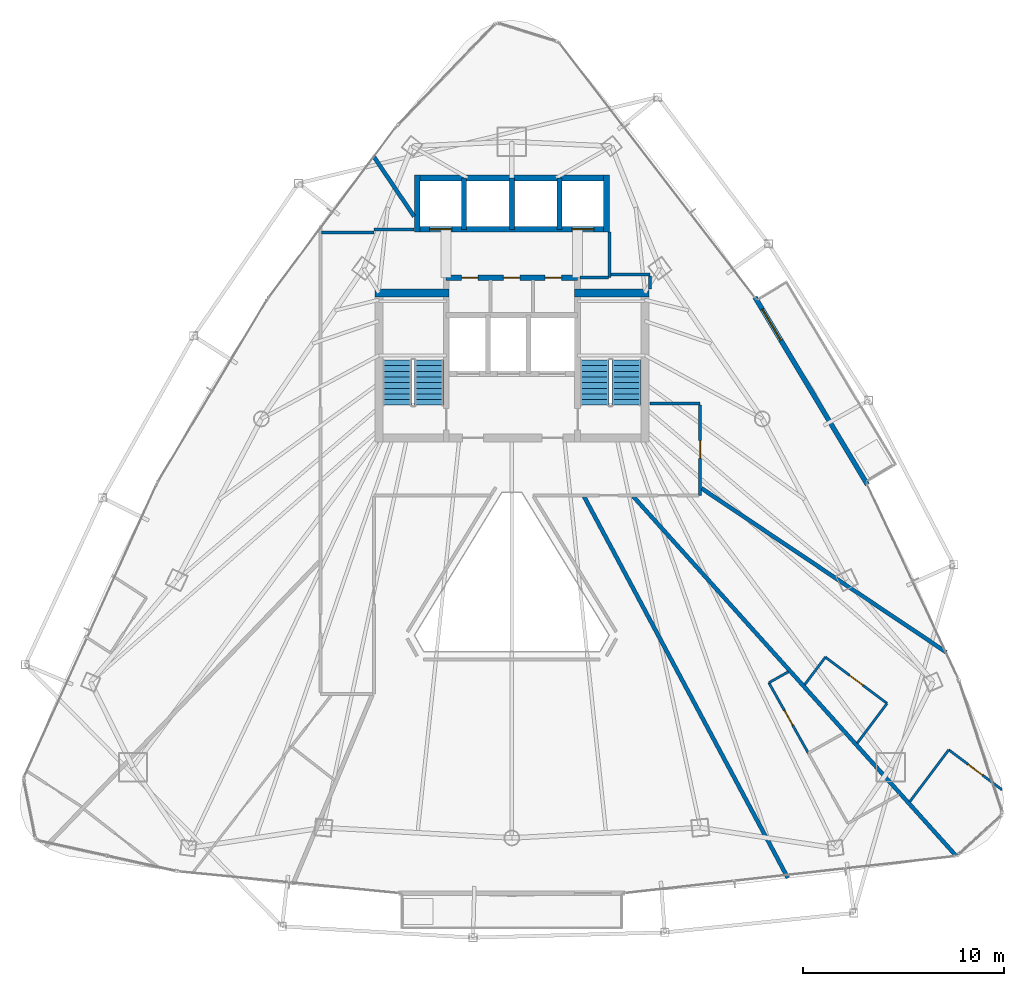
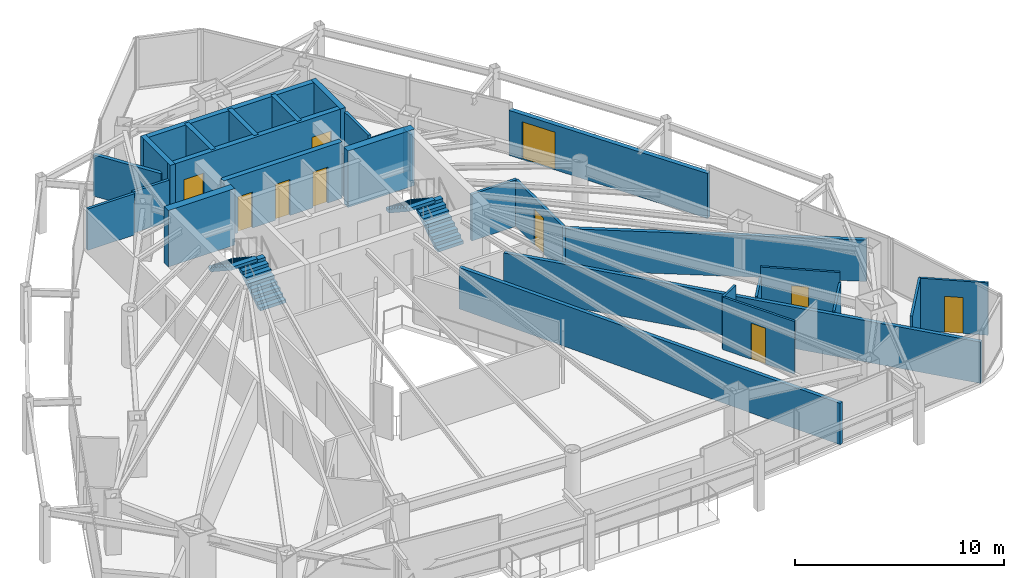
# One storey, part 27 of 30: 30 walls, 10 doors, 4 stair flights, 10 openings, 2 elements without a shape of their own.
"""IFC4 building model written with IfcOpenShell, lengths in metres."""

from ifc_helpers import new_model, si_unit, direction, frame, frame_2d, origin, place, context, subcontext, project, spatial, polyline, rectangle, outline, extrude, material, layer, layer_set, type_object, element, fill, aggregate, save


model = new_model("IFC4")

# Units and contexts
model_context = context("Model", 3, precision=1e-05, world=origin(), true_north=direction((0.0, 1.0)))
body_context = subcontext(model_context, "Body", "Model", "MODEL_VIEW")
ifc_project = project(units=[si_unit("LENGTHUNIT", "METRE"), si_unit("AREAUNIT", "SQUARE_METRE"), si_unit("VOLUMEUNIT", "CUBIC_METRE"), si_unit("PLANEANGLEUNIT", "RADIAN"), si_unit("MASSUNIT", "GRAM", prefix="KILO")], contexts=[model_context])

# Site, building, storey
site_placement = place(None, origin())
site = spatial("IfcSite", under=ifc_project, at=site_placement, CompositionType="ELEMENT")
building_placement = place(site_placement, origin())
building = spatial("IfcBuilding", under=site, at=building_placement, Name="Orvanel Arch Residences", CompositionType="ELEMENT")
storey_placement = place(building_placement, frame((0.0, 0.0, 180.35009765625)))
storey = spatial("IfcBuildingStorey", under=building, at=storey_placement, Name="L51", CompositionType="ELEMENT", Elevation=180.35009765625)

# Wall, opening, door
ifc_material_1 = material(Name="Precast concrete N50 (50 MPa)", Category="concrete")
ifc_layer_1 = layer(ifc_material_1, 0.239990234375)
ifc_layer_set_1 = layer_set([ifc_layer_1], Name="Precast concrete N50 (50 MPa)")
wall_type_1 = type_object("IfcWallType", Name="EW-BAL-240", PredefinedType="SOLIDWALL", material=ifc_layer_set_1)
wall_1_placement = place(storey_placement, frame((50.652099609375, 24.373046875, 0.0), z_axis=(0.0, 0.0, 1.0), x_axis=(-0.514290689074, 0.857615932182, 0.0)))
wall_1 = element("IfcWall", 1, at=wall_1_placement, inside=storey, type_object=wall_type_1, Name="L51 Balcony Threshold Wall Face 3", PredefinedType="SOLIDWALL", context=body_context, shape_type="SweptSolid", body=[
    extrude(rectangle(XDim=10.855712890625, YDim=0.239990234375, at=frame_2d((5.427734375, 0.0))), origin(), (0.0, 0.0, 1.0), 2.6240234375),
])
opening_1_placement = place(wall_1_placement, frame((8.35791015625, 0.0, 0.0)))
opening_1 = element("IfcOpeningElement", 2, at=opening_1_placement, cuts=wall_1, Name="Opening DB-180", PredefinedType="OPENING", context=body_context, shape_type="SweptSolid", body=[
    extrude(rectangle(XDim=1.800048828125, YDim=2.199951171875, at=frame_2d((0.89990234375, 1.10009765625))), frame((0.0, 0.1298828125, 0.0), z_axis=(0.0, -1.0, 0.0), x_axis=(1.0, 0.0, 0.0)), (0.0, 0.0, 1.0), 0.260009765625),
])
ifc_material_2 = material(Name="Bronze-anodised aluminium AA6063-T6", Category="aluminium")
door_type_1 = type_object("IfcDoorType", Name="DR-BAL-1800", OperationType="NOTDEFINED", PredefinedType="DOOR", material=ifc_material_2)
door_1_placement = place(opening_1_placement, origin())
door_1 = element("IfcDoor", 3, at=door_1_placement, inside=storey, type_object=door_type_1, Name="DR-L51-BAL-F3 L51 Planted Balcony Access Door Face 3", OperationType="SINGLE_SWING_RIGHT", OverallHeight=2.199951171875, OverallWidth=1.800048828125, PredefinedType="DOOR", context=body_context, shape_type="SweptSolid", body=[
    extrude(rectangle(XDim=1.800048828125, YDim=2.199951171875, at=frame_2d((0.89990234375, 1.10009765625))), frame((0.0, 0.02490234375, 0.0), z_axis=(0.0, -1.0, 0.0), x_axis=(1.0, 0.0, 0.0)), (0.0, 0.0, 1.0), 0.050048828125),
])
fill(opening_1, door_1)

# Walls
ifc_material_3 = material(Name="Concrete N50 (50 MPa)", Category="concrete")
ifc_layer_2 = layer(ifc_material_3, 0.25)
ifc_layer_set_2 = layer_set([ifc_layer_2], Name="Concrete N50 (50 MPa)")
wall_type_2 = type_object("IfcWallType", Name="SW-CORE-250", PredefinedType="SHEAR", material=ifc_layer_set_2)
for number, where, z_axis, x_axis, name in (
    (4, (30.625, 37.050048828125, 0.0), (0.0, 0.0, 1.0), (0.0, 1.0, 0.0), "L51 Passenger Lift Inter-Shaft Wall P35"),
    (5, (33.0, 37.050048828125, 0.0), (0.0, 0.0, 1.0), (0.0, 1.0, 0.0), "L51 Passenger Lift Inter-Shaft Wall P56"),
    (6, (35.375, 37.050048828125, 0.0), (0.0, 0.0, 1.0), (0.0, 1.0, 0.0), "L51 Passenger Lift Inter-Shaft Wall P64"),
):
    element("IfcWall", number, at=place(storey_placement, frame(where, z_axis=z_axis, x_axis=x_axis)), inside=storey, type_object=wall_type_2, Name=name, PredefinedType="SHEAR", context=body_context, shape_type="SweptSolid", body=[
        extrude(rectangle(XDim=2.550048828125, YDim=0.25, at=frame_2d((1.27490234375, 0.0))), origin(), (0.0, 0.0, 1.0), 3.2998046875),
    ])

# Wall, openings, doors
ifc_material_4 = material(Name="Concrete S65 (65 MPa)", Category="concrete")
ifc_layer_3 = layer(ifc_material_4, 0.280029296875)
ifc_layer_set_3 = layer_set([ifc_layer_3], Name="Concrete S65 (65 MPa)")
wall_type_3 = type_object("IfcWallType", Name="SW-CORE-280", PredefinedType="SHEAR", material=ifc_layer_set_3)
wall_2_placement = place(storey_placement, frame((29.739990234375, 34.64990234375, 0.0), z_axis=(0.0, 0.0, 1.0), x_axis=(1.0, 0.0, 0.0)))
wall_2 = element("IfcWall", 7, at=wall_2_placement, inside=storey, type_object=wall_type_3, Name="L51 Core Service Band North Shear Wall", PredefinedType="SHEAR", context=body_context, shape_type="SweptSolid", body=[
    extrude(rectangle(XDim=6.52001953125, YDim=0.280029296875, at=frame_2d((3.260009765625, 0.0))), origin(), (0.0, 0.0, 1.0), 3.2998046875),
])
opening_2_placement = place(wall_2_placement, frame((0.764892578125, 0.0, 0.0)))
opening_2 = element("IfcOpeningElement", 8, at=opening_2_placement, cuts=wall_2, Name="Opening DS-082", PredefinedType="OPENING", context=body_context, shape_type="SweptSolid", body=[
    extrude(rectangle(XDim=0.820068359375, YDim=2.10009765625, at=frame_2d((0.41015625, 1.050048828125))), frame((0.0, 0.14990234375, 0.0), z_axis=(0.0, -1.0, 0.0), x_axis=(1.0, 0.0, 0.0)), (0.0, 0.0, 1.0), 0.300048828125),
])
opening_3_placement = place(wall_2_placement, frame((2.840087890625, 0.0, 0.0)))
opening_3 = element("IfcOpeningElement", 9, at=opening_3_placement, cuts=wall_2, Name="Opening DS-082", PredefinedType="OPENING", context=body_context, shape_type="SweptSolid", body=[
    extrude(rectangle(XDim=0.820068359375, YDim=2.10009765625, at=frame_2d((0.41015625, 1.050048828125))), frame((0.0, 0.14990234375, 0.0), z_axis=(0.0, -1.0, 0.0), x_axis=(1.0, 0.0, 0.0)), (0.0, 0.0, 1.0), 0.300048828125),
])
opening_4_placement = place(wall_2_placement, frame((4.9150390625, 0.0, 0.0)))
opening_4 = element("IfcOpeningElement", 10, at=opening_4_placement, cuts=wall_2, Name="Opening DS-082", PredefinedType="OPENING", context=body_context, shape_type="SweptSolid", body=[
    extrude(rectangle(XDim=0.820068359375, YDim=2.10009765625, at=frame_2d((0.41015625, 1.050048828125))), frame((0.0, 0.14990234375, 0.0), z_axis=(0.0, -1.0, 0.0), x_axis=(1.0, 0.0, 0.0)), (0.0, 0.0, 1.0), 0.300048828125),
])
ifc_material_5 = material(Name="Galvanised steel fire-resisting door assembly", Category="steel")
door_type_2 = type_object("IfcDoorType", Name="DR-SVC-820", OperationType="NOTDEFINED", PredefinedType="DOOR", material=ifc_material_5)
door_2_placement = place(opening_2_placement, origin())
door_2 = element("IfcDoor", 11, at=door_2_placement, inside=storey, type_object=door_type_2, Name="DR-L51-CSVC-1 L51 Housekeeping Store Door", OperationType="SINGLE_SWING_LEFT", OverallHeight=2.10009765625, OverallWidth=0.820068359375, PredefinedType="DOOR", context=body_context, shape_type="SweptSolid", body=[
    extrude(rectangle(XDim=0.820068359375, YDim=2.10009765625, at=frame_2d((0.41015625, 1.050048828125))), frame((0.0, 0.02490234375, 0.0), z_axis=(0.0, -1.0, 0.0), x_axis=(1.0, 0.0, 0.0)), (0.0, 0.0, 1.0), 0.050048828125),
])
fill(opening_2, door_2)
door_3_placement = place(opening_3_placement, origin())
door_3 = element("IfcDoor", 12, at=door_3_placement, inside=storey, type_object=door_type_2, Name="DR-L51-CSVC-2 L51 Cleaner's Store Door", OperationType="SINGLE_SWING_LEFT", OverallHeight=2.10009765625, OverallWidth=0.820068359375, PredefinedType="DOOR", context=body_context, shape_type="SweptSolid", body=[
    extrude(rectangle(XDim=0.820068359375, YDim=2.10009765625, at=frame_2d((0.41015625, 1.050048828125))), frame((0.0, 0.02490234375, 0.0), z_axis=(0.0, -1.0, 0.0), x_axis=(1.0, 0.0, 0.0)), (0.0, 0.0, 1.0), 0.050048828125),
])
fill(opening_3, door_3)
door_4_placement = place(opening_4_placement, origin())
door_4 = element("IfcDoor", 13, at=door_4_placement, inside=storey, type_object=door_type_2, Name="DR-L51-CSVC-3 L51 Comms Riser Store Door", OperationType="SINGLE_SWING_LEFT", OverallHeight=2.10009765625, OverallWidth=0.820068359375, PredefinedType="DOOR", context=body_context, shape_type="SweptSolid", body=[
    extrude(rectangle(XDim=0.820068359375, YDim=2.10009765625, at=frame_2d((0.41015625, 1.050048828125))), frame((0.0, 0.02490234375, 0.0), z_axis=(0.0, -1.0, 0.0), x_axis=(1.0, 0.0, 0.0)), (0.0, 0.0, 1.0), 0.050048828125),
])
fill(opening_4, door_4)

wall_3_placement = place(storey_placement, frame((37.840087890625, 37.050048828125, 0.0), z_axis=(0.0, 0.0, 1.0), x_axis=(-1.0, 0.0, 0.0)))
wall_3 = element("IfcWall", 14, at=wall_3_placement, inside=storey, type_object=wall_type_3, Name="L51 Passenger Lift Bank Front Shear Wall", PredefinedType="SHEAR", context=body_context, shape_type="SweptSolid", body=[
    extrude(rectangle(XDim=9.68017578125, YDim=0.280029296875, at=frame_2d((4.840087890625, 0.0))), origin(), (0.0, 0.0, 1.0), 3.2998046875),
])
opening_5_placement = place(wall_3_placement, frame((7.81494140625, 0.0, 0.0)))
opening_5 = element("IfcOpeningElement", 15, at=opening_5_placement, cuts=wall_3, Name="Opening LD-110", PredefinedType="OPENING", context=body_context, shape_type="SweptSolid", body=[
    extrude(rectangle(XDim=1.10009765625, YDim=2.199951171875, at=frame_2d((0.550048828125, 1.10009765625))), frame((0.0, 0.14990234375, 0.0), z_axis=(0.0, -1.0, 0.0), x_axis=(1.0, 0.0, 0.0)), (0.0, 0.0, 1.0), 0.300048828125),
])
opening_6_placement = place(wall_3_placement, frame((0.764892578125, 0.0, 0.0)))
opening_6 = element("IfcOpeningElement", 16, at=opening_6_placement, cuts=wall_3, Name="Opening LD-110", PredefinedType="OPENING", context=body_context, shape_type="SweptSolid", body=[
    extrude(rectangle(XDim=1.10009765625, YDim=2.199951171875, at=frame_2d((0.550048828125, 1.10009765625))), frame((0.0, 0.14990234375, 0.0), z_axis=(0.0, -1.0, 0.0), x_axis=(1.0, 0.0, 0.0)), (0.0, 0.0, 1.0), 0.300048828125),
])
door_type_3 = type_object("IfcDoorType", Name="DR-LFT-1100", OperationType="NOTDEFINED", PredefinedType="DOOR", material=ifc_material_5)
door_5_placement = place(opening_5_placement, origin())
door_5 = element("IfcDoor", 17, at=door_5_placement, inside=storey, type_object=door_type_3, Name="LD-P3-L51 L51 Passenger Lift P3 Sliding Landing Door", OperationType="DOUBLE_DOOR_SLIDING", OverallHeight=2.199951171875, OverallWidth=1.10009765625, PredefinedType="DOOR", context=body_context, shape_type="SweptSolid", body=[
    extrude(rectangle(XDim=1.10009765625, YDim=2.199951171875, at=frame_2d((0.550048828125, 1.10009765625))), frame((0.0, 0.02490234375, 0.0), z_axis=(0.0, -1.0, 0.0), x_axis=(1.0, 0.0, 0.0)), (0.0, 0.0, 1.0), 0.050048828125),
])
fill(opening_5, door_5)
door_6_placement = place(opening_6_placement, origin())
door_6 = element("IfcDoor", 18, at=door_6_placement, inside=storey, type_object=door_type_3, Name="LD-P4-L51 L51 Passenger Lift P4 Sliding Landing Door", OperationType="DOUBLE_DOOR_SLIDING", OverallHeight=2.199951171875, OverallWidth=1.10009765625, PredefinedType="DOOR", context=body_context, shape_type="SweptSolid", body=[
    extrude(rectangle(XDim=1.10009765625, YDim=2.199951171875, at=frame_2d((0.550048828125, 1.10009765625))), frame((0.0, 0.02490234375, 0.0), z_axis=(0.0, -1.0, 0.0), x_axis=(1.0, 0.0, 0.0)), (0.0, 0.0, 1.0), 0.050048828125),
])
fill(opening_6, door_6)

# Walls
wall_4_placement = place(storey_placement, frame((28.159912109375, 39.60009765625, 0.0), z_axis=(0.0, 0.0, 1.0), x_axis=(1.0, 0.0, 0.0)))
element("IfcWall", 19, at=wall_4_placement, inside=storey, type_object=wall_type_3, Name="L51 Passenger Lift Bank North Shear Wall", PredefinedType="SHEAR", context=body_context, shape_type="SweptSolid", body=[
    extrude(rectangle(XDim=9.68017578125, YDim=0.280029296875, at=frame_2d((4.840087890625, 0.0))), origin(), (0.0, 0.0, 1.0), 3.2998046875),
])
for number, where, z_axis, x_axis, name in (
    (20, (28.300048828125, 36.909912109375, 0.0), (0.0, 0.0, 1.0), (0.0, 1.0, 0.0), "L51 Passenger Lift Bank West Shear Wall"),
    (21, (37.699951171875, 36.909912109375, 0.0), (0.0, 0.0, 1.0), (0.0, 1.0, 0.0), "L51 Passenger Lift Bank East Shear Wall"),
):
    element("IfcWall", number, at=place(storey_placement, frame(where, z_axis=z_axis, x_axis=x_axis)), inside=storey, type_object=wall_type_3, Name=name, PredefinedType="SHEAR", context=body_context, shape_type="SweptSolid", body=[
        extrude(rectangle(XDim=2.830078125, YDim=0.280029296875, at=frame_2d((1.4150390625, 0.0))), origin(), (0.0, 0.0, 1.0), 3.2998046875),
    ])
ifc_layer_4 = layer(ifc_material_4, 0.39990234375)
ifc_layer_set_4 = layer_set([ifc_layer_4], Name="Concrete S65 (65 MPa)")
wall_type_4 = type_object("IfcWallType", Name="SW-CORE-400", PredefinedType="SHEAR", material=ifc_layer_set_4)
for number, where, z_axis, x_axis, name in (
    (22, (26.199951171875, 33.89990234375, 0.0), (0.0, 0.0, 1.0), (1.0, 0.0, 0.0), "L51 West Stair North Shear Wall"),
    (23, (36.1201171875, 33.89990234375, 0.0), (0.0, 0.0, 1.0), (1.0, 0.0, 0.0), "L51 East Stair North Shear Wall"),
):
    element("IfcWall", number, at=place(storey_placement, frame(where, z_axis=z_axis, x_axis=x_axis)), inside=storey, type_object=wall_type_4, Name=name, PredefinedType="SHEAR", context=body_context, shape_type="SweptSolid", body=[
        extrude(rectangle(XDim=3.679931640625, YDim=0.39990234375, at=frame_2d((1.83984375, 0.0))), origin(), (0.0, 0.0, 1.0), 3.2998046875),
    ])
ifc_material_6 = material(Name="Fire-rated plasterboard lined steel stud partition", Category="steel")
ifc_layer_5 = layer(ifc_material_6, 0.14990234375)
ifc_layer_set_5 = layer_set([ifc_layer_5], Name="Fire-rated plasterboard lined steel stud partition")
wall_type_5 = type_object("IfcWallType", Name="W-COR-150", PredefinedType="PARTITIONING", material=ifc_layer_set_5)
wall_5_placement = place(storey_placement, frame((37.85009765625, 34.64990234375, 0.0), z_axis=(0.0, 0.0, 1.0), x_axis=(0.0, 1.0, 0.0)))
element("IfcWall", 24, at=wall_5_placement, inside=storey, type_object=wall_type_5, Name="L51 Passenger Lift Lobby East Closure Wall", PredefinedType="PARTITIONING", context=body_context, shape_type="SweptSolid", body=[
    extrude(rectangle(XDim=2.260009765625, YDim=0.14990234375, at=frame_2d((1.1298828125, 0.0))), origin(), (0.0, 0.0, 1.0), 3.059814453125),
])
wall_6_placement = place(storey_placement, frame((36.385009765625, 34.64990234375, 0.0), z_axis=(0.0, 0.0, 1.0), x_axis=(1.0, 0.0, 0.0)))
element("IfcWall", 25, at=wall_6_placement, inside=storey, type_object=wall_type_5, Name="L51 Passenger Lift Lobby South-East Wall", PredefinedType="PARTITIONING", context=body_context, shape_type="SweptSolid", body=[
    extrude(rectangle(XDim=1.405029296875, YDim=0.14990234375, at=frame_2d((0.70263671875, 0.0))), origin(), (0.0, 0.0, 1.0), 2.4248046875),
])
wall_7_placement = place(storey_placement, frame((23.56005859375, 36.89990234375, 0.0), z_axis=(0.0, 0.0, 1.0), x_axis=(1.0, 0.0, 0.0)))
element("IfcWall", 26, at=wall_7_placement, inside=storey, type_object=wall_type_5, Name="L51 Corridor Fire-Rated Partition", PredefinedType="PARTITIONING", context=body_context, shape_type="SweptSolid", body=[
    extrude(rectangle(XDim=2.58984375, YDim=0.14990234375, at=frame_2d((1.294921875, 0.0))), origin(), (0.0, 0.0, 1.0), 2.412841796875),
])
wall_8_placement = place(storey_placement, frame((39.85009765625, 28.39990234375, 0.0), z_axis=(0.0, 0.0, 1.0), x_axis=(1.0, 0.0, 0.0)))
element("IfcWall", 27, at=wall_8_placement, inside=storey, type_object=wall_type_5, Name="L51 Corridor Fire-Rated Partition", PredefinedType="PARTITIONING", context=body_context, shape_type="SweptSolid", body=[
    extrude(rectangle(XDim=2.5, YDim=0.14990234375, at=frame_2d((1.25, 0.0))), origin(), (0.0, 0.0, 1.0), 2.720947265625),
])

# Wall, opening, door
wall_9_placement = place(storey_placement, frame((42.35009765625, 28.340087890625, 0.0), z_axis=(0.0, 0.0, 1.0), x_axis=(0.0, -1.0, 0.0)))
wall_9 = element("IfcWall", 28, at=wall_9_placement, inside=storey, type_object=wall_type_5, Name="L51 Corridor Fire-Rated Partition", PredefinedType="PARTITIONING", context=body_context, shape_type="SweptSolid", body=[
    extrude(rectangle(XDim=4.489990234375, YDim=0.14990234375, at=frame_2d((2.2451171875, 0.0))), origin(), (0.0, 0.0, 1.0), 2.720947265625),
])
opening_7_placement = place(wall_9_placement, frame((1.782958984375, 0.0, 0.0)))
opening_7 = element("IfcOpeningElement", 29, at=opening_7_placement, cuts=wall_9, Name="Opening DI-088", PredefinedType="OPENING", context=body_context, shape_type="SweptSolid", body=[
    extrude(rectangle(XDim=0.8798828125, YDim=2.10009765625, at=frame_2d((0.43994140625, 1.050048828125))), frame((0.0, 0.0849609375, 0.0), z_axis=(0.0, -1.0, 0.0), x_axis=(1.0, 0.0, 0.0)), (0.0, 0.0, 1.0), 0.169921875),
])
ifc_material_7 = material(Name="Solid-core European oak veneer fire door leaf", Category="wood")
door_type_4 = type_object("IfcDoorType", Name="DR-INT-880", OperationType="NOTDEFINED", PredefinedType="DOOR", material=ifc_material_7)
door_7_placement = place(opening_7_placement, origin())
door_7 = element("IfcDoor", 30, at=door_7_placement, inside=storey, type_object=door_type_4, Name="DR-L51-RCP51-2 L51 Concierge Mail Reception 2 Door", OperationType="SINGLE_SWING_LEFT", OverallHeight=2.10009765625, OverallWidth=0.8798828125, PredefinedType="DOOR", context=body_context, shape_type="SweptSolid", body=[
    extrude(rectangle(XDim=0.8798828125, YDim=2.10009765625, at=frame_2d((0.43994140625, 1.050048828125))), frame((0.0, 0.02490234375, 0.0), z_axis=(0.0, -1.0, 0.0), x_axis=(1.0, 0.0, 0.0)), (0.0, 0.0, 1.0), 0.050048828125),
])
fill(opening_7, door_7)

# Walls
wall_10_placement = place(storey_placement, frame((26.14990234375, 37.050048828125, 0.0), z_axis=(0.0, 0.0, 1.0), x_axis=(1.0, 0.0, 0.0)))
element("IfcWall", 31, at=wall_10_placement, inside=storey, type_object=wall_type_5, Name="L51 Core Perimeter Partition", PredefinedType="PARTITIONING", context=body_context, shape_type="SweptSolid", body=[
    extrude(rectangle(XDim=2.0, YDim=0.14990234375, at=frame_2d((1.0, 0.0))), origin(), (0.0, 0.0, 1.0), 2.412841796875),
])
wall_11_placement = place(storey_placement, frame((37.909912109375, 34.800048828125, 0.0), z_axis=(0.0, 0.0, 1.0), x_axis=(1.0, 0.0, 0.0)))
element("IfcWall", 32, at=wall_11_placement, inside=storey, type_object=wall_type_5, Name="L51 Core Perimeter Partition", PredefinedType="PARTITIONING", context=body_context, shape_type="SweptSolid", body=[
    extrude(rectangle(XDim=1.940185546875, YDim=0.14990234375, at=frame_2d((0.97021484375, 0.0))), origin(), (0.0, 0.0, 1.0), 2.720947265625),
])
wall_12_placement = place(storey_placement, frame((39.85009765625, 34.739990234375, 0.0), z_axis=(0.0, 0.0, 1.0), x_axis=(0.0, -1.0, 0.0)))
element("IfcWall", 33, at=wall_12_placement, inside=storey, type_object=wall_type_5, Name="L51 Core Perimeter Partition", PredefinedType="PARTITIONING", context=body_context, shape_type="SweptSolid", body=[
    extrude(rectangle(XDim=0.639892578125, YDim=0.14990234375, at=frame_2d((0.31982421875, 0.0))), origin(), (0.0, 0.0, 1.0), 2.720947265625),
])
ifc_layer_6 = layer(ifc_material_6, 0.199951171875)
ifc_layer_set_6 = layer_set([ifc_layer_6], Name="Fire-rated plasterboard lined steel stud partition")
wall_type_6 = type_object("IfcWallType", Name="W-DEM-200", PredefinedType="PARTITIONING", material=ifc_layer_set_6)
wall_13_placement = place(storey_placement, frame((36.5849609375, 23.7900390625, 0.0), z_axis=(0.0, 0.0, 1.0), x_axis=(0.47121923303, -0.88201611914, 0.0)))
element("IfcWall", 34, at=wall_13_placement, inside=storey, type_object=wall_type_6, Name="L51 Inter-Tenancy Acoustic Demising Wall", PredefinedType="PARTITIONING", context=body_context, shape_type="SweptSolid", body=[
    extrude(rectangle(XDim=21.46337890625, YDim=0.199951171875, at=frame_2d((10.731689453125, 0.0))), origin(), (0.0, 0.0, 1.0), 2.412841796875),
])
wall_14_placement = place(storey_placement, frame((28.14990234375, 37.68994140625, 0.0), z_axis=(0.0, 0.0, 1.0), x_axis=(-0.559089637851, 0.829107216738, 0.0)))
element("IfcWall", 35, at=wall_14_placement, inside=storey, type_object=wall_type_6, Name="L51 Inter-Tenancy Acoustic Demising Wall", PredefinedType="PARTITIONING", context=body_context, shape_type="SweptSolid", body=[
    extrude(rectangle(XDim=3.600341796875, YDim=0.199951171875, at=frame_2d((1.80029296875, 0.0))), origin(), (0.0, 0.0, 1.0), 2.412841796875),
])
wall_15_placement = place(storey_placement, frame((54.571044921875, 16.054931640625, 0.0), z_axis=(0.0, 0.0, 1.0), x_axis=(-0.830893680957, 0.556431209535, 0.0)))
element("IfcWall", 36, at=wall_15_placement, inside=storey, type_object=wall_type_6, Name="L51 Inter-Tenancy Acoustic Demising Wall", PredefinedType="PARTITIONING", context=body_context, shape_type="SweptSolid", body=[
    extrude(rectangle(XDim=14.63623046875, YDim=0.199951171875, at=frame_2d((7.318115234375, 0.0))), origin(), (0.0, 0.0, 1.0), 2.412841796875),
])
wall_16_placement = place(storey_placement, frame((55.049072265625, 5.95703125, 0.0), z_axis=(0.0, 0.0, 1.0), x_axis=(-0.668302779631, 0.743889369958, 0.0)))
element("IfcWall", 37, at=wall_16_placement, inside=storey, type_object=wall_type_6, Name="L51 Inter-Tenancy Acoustic Demising Wall", PredefinedType="PARTITIONING", context=body_context, shape_type="SweptSolid", body=[
    extrude(rectangle(XDim=23.97265625, YDim=0.199951171875, at=frame_2d((11.986328125, 0.0))), origin(), (0.0, 0.0, 1.0), 2.412841796875),
])
ifc_material_8 = material(Name="Acoustic plasterboard lined twin-stud partition", Category="gypsum")
ifc_layer_7 = layer(ifc_material_8, 0.1201171875)
ifc_layer_set_7 = layer_set([ifc_layer_7], Name="Acoustic plasterboard lined twin-stud partition")
wall_type_7 = type_object("IfcWallType", Name="W-WET-120", PredefinedType="PARTITIONING", material=ifc_layer_set_7)
wall_17_placement = place(storey_placement, frame((50.14208984375, 11.547119140625, 0.0), z_axis=(0.0, 0.0, 1.0), x_axis=(0.600522581987, 0.799607796688, 0.0)))
element("IfcWall", 38, at=wall_17_placement, inside=storey, type_object=wall_type_7, Name="L51 Studio C Bathroom Partition", PredefinedType="PARTITIONING", context=body_context, shape_type="SweptSolid", body=[
    extrude(rectangle(XDim=2.466064453125, YDim=0.1201171875, at=frame_2d((1.23291015625, 0.0))), origin(), (0.0, 0.0, 1.0), 2.491943359375),
])

# Wall, opening, door
wall_18_placement = place(storey_placement, frame((51.623046875, 13.51904296875, 0.0), z_axis=(0.0, 0.0, 1.0), x_axis=(-0.799464069649, 0.600713909728, 0.0)))
wall_18 = element("IfcWall", 39, at=wall_18_placement, inside=storey, type_object=wall_type_7, Name="L51 Studio C Bathroom Partition", PredefinedType="PARTITIONING", context=body_context, shape_type="SweptSolid", body=[
    extrude(rectangle(XDim=3.828857421875, YDim=0.1201171875, at=frame_2d((1.91455078125, 0.0))), origin(), (0.0, 0.0, 1.0), 3.059814453125),
])
opening_8_placement = place(wall_18_placement, frame((1.50390625, 0.0, 0.0)))
opening_8 = element("IfcOpeningElement", 40, at=opening_8_placement, cuts=wall_18, Name="Opening DW-082", PredefinedType="OPENING", context=body_context, shape_type="SweptSolid", body=[
    extrude(rectangle(XDim=0.820068359375, YDim=2.10009765625, at=frame_2d((0.41015625, 1.050048828125))), frame((0.0, 0.070068359375, 0.0), z_axis=(0.0, -1.0, 0.0), x_axis=(1.0, 0.0, 0.0)), (0.0, 0.0, 1.0), 0.14013671875),
])
door_type_5 = type_object("IfcDoorType", Name="DR-WET-820", OperationType="NOTDEFINED", PredefinedType="DOOR", material=ifc_material_7)
door_8_placement = place(opening_8_placement, origin())
door_8 = element("IfcDoor", 41, at=door_8_placement, inside=storey, type_object=door_type_5, Name="DR-L51-C-BATH L51 Studio C Bathroom Door", OperationType="SINGLE_SWING_RIGHT", OverallHeight=2.10009765625, OverallWidth=0.820068359375, PredefinedType="DOOR", context=body_context, shape_type="SweptSolid", body=[
    extrude(rectangle(XDim=0.820068359375, YDim=2.10009765625, at=frame_2d((0.41015625, 1.050048828125))), frame((0.0, 0.02490234375, 0.0), z_axis=(0.0, -1.0, 0.0), x_axis=(1.0, 0.0, 0.0)), (0.0, 0.0, 1.0), 0.050048828125),
])
fill(opening_8, door_8)

# Wall
wall_19_placement = place(storey_placement, frame((48.56201171875, 15.819091796875, 0.0), z_axis=(0.0, 0.0, 1.0), x_axis=(-0.600820734403, -0.799383790874, 0.0)))
element("IfcWall", 42, at=wall_19_placement, inside=storey, type_object=wall_type_7, Name="L51 Studio C Bathroom Partition", PredefinedType="PARTITIONING", context=body_context, shape_type="SweptSolid", body=[
    extrude(rectangle(XDim=1.712646484375, YDim=0.1201171875, at=frame_2d((0.8564453125, 0.0))), origin(), (0.0, 0.0, 1.0), 2.491943359375),
])

# Wall, opening, door
wall_20_placement = place(storey_placement, frame((57.3310546875, 9.23193359375, 0.0), z_axis=(0.0, 0.0, 1.0), x_axis=(-0.799486289087, 0.600684337704, 0.0)))
wall_20 = element("IfcWall", 43, at=wall_20_placement, inside=storey, type_object=wall_type_7, Name="L51 Studio C Internal Partition", PredefinedType="PARTITIONING", context=body_context, shape_type="SweptSolid", body=[
    extrude(rectangle(XDim=3.3095703125, YDim=0.1201171875, at=frame_2d((1.65478515625, 0.0))), origin(), (0.0, 0.0, 1.0), 3.059814453125),
])
opening_9_placement = place(wall_20_placement, frame((1.215087890625, 0.0, 0.0)))
opening_9 = element("IfcOpeningElement", 44, at=opening_9_placement, cuts=wall_20, Name="Opening DI-088", PredefinedType="OPENING", context=body_context, shape_type="SweptSolid", body=[
    extrude(rectangle(XDim=0.8798828125, YDim=2.10009765625, at=frame_2d((0.43994140625, 1.050048828125))), frame((0.0, 0.070068359375, 0.0), z_axis=(0.0, -1.0, 0.0), x_axis=(1.0, 0.0, 0.0)), (0.0, 0.0, 1.0), 0.14013671875),
])
door_9_placement = place(opening_9_placement, origin())
door_9 = element("IfcDoor", 45, at=door_9_placement, inside=storey, type_object=door_type_4, Name="DR-L51-C-KIT L51 Studio C Kitchenette Door", OperationType="SINGLE_SWING_LEFT", OverallHeight=2.10009765625, OverallWidth=0.8798828125, PredefinedType="DOOR", context=body_context, shape_type="SweptSolid", body=[
    extrude(rectangle(XDim=0.8798828125, YDim=2.10009765625, at=frame_2d((0.43994140625, 1.050048828125))), frame((0.0, 0.02490234375, 0.0), z_axis=(0.0, -1.0, 0.0), x_axis=(1.0, 0.0, 0.0)), (0.0, 0.0, 1.0), 0.050048828125),
])
fill(opening_9, door_9)

# Walls
wall_21_placement = place(storey_placement, frame((54.68505859375, 11.219970703125, 0.0), z_axis=(0.0, 0.0, 1.0), x_axis=(-0.600472636757, -0.799645304185, 0.0)))
element("IfcWall", 46, at=wall_21_placement, inside=storey, type_object=wall_type_7, Name="L51 Studio C Internal Partition", PredefinedType="PARTITIONING", context=body_context, shape_type="SweptSolid", body=[
    extrude(rectangle(XDim=3.22265625, YDim=0.1201171875, at=frame_2d((1.611328125, 0.0))), origin(), (0.0, 0.0, 1.0), 3.059814453125),
])
wall_22_placement = place(storey_placement, frame((46.72802734375, 15.092041015625, 0.0), z_axis=(0.0, 0.0, 1.0), x_axis=(-0.872259310975, -0.489043652875, 0.0)))
element("IfcWall", 47, at=wall_22_placement, inside=storey, type_object=wall_type_7, Name="L51 Studio D Bathroom Partition", PredefinedType="PARTITIONING", context=body_context, shape_type="SweptSolid", body=[
    extrude(rectangle(XDim=1.1142578125, YDim=0.1201171875, at=frame_2d((0.55712890625, 0.0))), origin(), (0.0, 0.0, 1.0), 3.059814453125),
])

# Wall, opening, door
wall_23_placement = place(storey_placement, frame((45.756103515625, 14.547119140625, 0.0), z_axis=(0.0, 0.0, 1.0), x_axis=(0.489160448732, -0.872193817564, 0.0)))
wall_23 = element("IfcWall", 48, at=wall_23_placement, inside=storey, type_object=wall_type_7, Name="L51 Studio D Bathroom Partition", PredefinedType="PARTITIONING", context=body_context, shape_type="SweptSolid", body=[
    extrude(rectangle(XDim=4.002685546875, YDim=0.1201171875, at=frame_2d((2.00146484375, 0.0))), origin(), (0.0, 0.0, 1.0), 3.059814453125),
])
opening_10_placement = place(wall_23_placement, frame((1.591064453125, 0.0, 0.0)))
opening_10 = element("IfcOpeningElement", 49, at=opening_10_placement, cuts=wall_23, Name="Opening DW-082", PredefinedType="OPENING", context=body_context, shape_type="SweptSolid", body=[
    extrude(rectangle(XDim=0.820068359375, YDim=2.10009765625, at=frame_2d((0.41015625, 1.050048828125))), frame((0.0, 0.070068359375, 0.0), z_axis=(0.0, -1.0, 0.0), x_axis=(1.0, 0.0, 0.0)), (0.0, 0.0, 1.0), 0.14013671875),
])
door_10_placement = place(opening_10_placement, origin())
door_10 = element("IfcDoor", 50, at=door_10_placement, inside=storey, type_object=door_type_5, Name="DR-L51-D-BATH L51 Studio D Bathroom Door", OperationType="SINGLE_SWING_RIGHT", OverallHeight=2.10009765625, OverallWidth=0.820068359375, PredefinedType="DOOR", context=body_context, shape_type="SweptSolid", body=[
    extrude(rectangle(XDim=0.820068359375, YDim=2.10009765625, at=frame_2d((0.41015625, 1.050048828125))), frame((0.0, 0.02490234375, 0.0), z_axis=(0.0, -1.0, 0.0), x_axis=(1.0, 0.0, 0.0)), (0.0, 0.0, 1.0), 0.050048828125),
])
fill(opening_10, door_10)

# Stair, stair flights
stair_type = type_object("IfcStairType", Name="STR-DOG-184", PredefinedType="USERDEFINED", material=ifc_material_1)
stair_1_placement = place(storey_placement, origin())
stair_1 = element("IfcStair", 51, at=stair_1_placement, inside=storey, type_object=stair_type, Name="L51 Fire-Isolated Core Exit Stair 1", ObjectType="TWO_RETURN_STAIR", PredefinedType="USERDEFINED")
stair_flight_type_1 = type_object("IfcStairFlightType", Name="SFL-C1-184", PredefinedType="STRAIGHT", material=ifc_material_1)
stair_flight_1_placement = place(storey_placement, frame((28.889892578125, 28.320068359375, 0.0), z_axis=(0.0, 0.0, 1.0), x_axis=(0.0, 1.0, 0.0)))
stair_flight_1 = element("IfcStairFlight", 52, at=stair_flight_1_placement, type_object=stair_flight_type_1, Name="ST-1 flight 1", NumberOfRisers=9, NumberOfTreads=8, PredefinedType="STRAIGHT", RiserHeight=0.183333333, TreadLength=0.28, context=body_context, shape_type="SweptSolid", body=[
    extrude(outline(polyline([(0.0, 0.0), (0.0, 0.183349609375), (0.280029296875, 0.183349609375), (0.280029296875, 0.36669921875), (0.56005859375, 0.36669921875), (0.56005859375, 0.550048828125), (0.840087890625, 0.550048828125), (0.840087890625, 0.7333984375), (1.1201171875, 0.7333984375), (1.1201171875, 0.916748046875), (1.39990234375, 0.916748046875), (1.39990234375, 1.10009765625), (1.679931640625, 1.10009765625), (1.679931640625, 1.283447265625), (1.9599609375, 1.283447265625), (1.9599609375, 1.466552734375), (2.239990234375, 1.466552734375), (2.239990234375, 1.64990234375), (2.239990234375, 1.28759765625), (0.273681640625, 0.0), (0.0, 0.0)])), frame((0.0, 0.7099609375, 0.0), z_axis=(0.0, -1.0, 0.0), x_axis=(1.0, 0.0, 0.0)), (0.0, 0.0, 1.0), 1.419921875),
])
stair_flight_2_placement = place(storey_placement, frame((27.31005859375, 30.56005859375, 1.64990234375), z_axis=(0.0, 0.0, 1.0), x_axis=(0.0, -1.0, 0.0)))
stair_flight_2 = element("IfcStairFlight", 53, at=stair_flight_2_placement, type_object=stair_flight_type_1, Name="ST-1 flight 2", NumberOfRisers=9, NumberOfTreads=8, PredefinedType="STRAIGHT", RiserHeight=0.183333333, TreadLength=0.28, context=body_context, shape_type="SweptSolid", body=[
    extrude(outline(polyline([(0.0, 0.0), (0.0, 0.183349609375), (0.280029296875, 0.183349609375), (0.280029296875, 0.36669921875), (0.56005859375, 0.36669921875), (0.56005859375, 0.550048828125), (0.840087890625, 0.550048828125), (0.840087890625, 0.7333984375), (1.1201171875, 0.7333984375), (1.1201171875, 0.916748046875), (1.39990234375, 0.916748046875), (1.39990234375, 1.10009765625), (1.679931640625, 1.10009765625), (1.679931640625, 1.283447265625), (1.9599609375, 1.283447265625), (1.9599609375, 1.466552734375), (2.239990234375, 1.466552734375), (2.239990234375, 1.64990234375), (2.239990234375, 1.28759765625), (0.273681640625, 0.0), (0.0, 0.0)])), frame((0.0, 0.7099609375, 0.0), z_axis=(0.0, -1.0, 0.0), x_axis=(1.0, 0.0, 0.0)), (0.0, 0.0, 1.0), 1.419921875),
])
aggregate(stair_1, [stair_flight_1, stair_flight_2])

stair_2_placement = place(storey_placement, origin())
stair_2 = element("IfcStair", 54, at=stair_2_placement, inside=storey, type_object=stair_type, Name="L51 Fire-Isolated Core Exit Stair 2", ObjectType="TWO_RETURN_STAIR", PredefinedType="USERDEFINED")
stair_flight_type_2 = type_object("IfcStairFlightType", Name="SFL-C2-184", PredefinedType="STRAIGHT", material=ifc_material_1)
stair_flight_3_placement = place(storey_placement, frame((38.68994140625, 28.320068359375, 0.0), z_axis=(0.0, 0.0, 1.0), x_axis=(0.0, 1.0, 0.0)))
stair_flight_3 = element("IfcStairFlight", 55, at=stair_flight_3_placement, type_object=stair_flight_type_2, Name="ST-2 flight 1", NumberOfRisers=9, NumberOfTreads=8, PredefinedType="STRAIGHT", RiserHeight=0.183333333, TreadLength=0.28, context=body_context, shape_type="SweptSolid", body=[
    extrude(outline(polyline([(0.0, 0.0), (0.0, 0.183349609375), (0.280029296875, 0.183349609375), (0.280029296875, 0.36669921875), (0.56005859375, 0.36669921875), (0.56005859375, 0.550048828125), (0.840087890625, 0.550048828125), (0.840087890625, 0.7333984375), (1.1201171875, 0.7333984375), (1.1201171875, 0.916748046875), (1.39990234375, 0.916748046875), (1.39990234375, 1.10009765625), (1.679931640625, 1.10009765625), (1.679931640625, 1.283447265625), (1.9599609375, 1.283447265625), (1.9599609375, 1.466552734375), (2.239990234375, 1.466552734375), (2.239990234375, 1.64990234375), (2.239990234375, 1.28759765625), (0.273681640625, 0.0), (0.0, 0.0)])), frame((0.0, 0.7099609375, 0.0), z_axis=(0.0, -1.0, 0.0), x_axis=(1.0, 0.0, 0.0)), (0.0, 0.0, 1.0), 1.419921875),
])
stair_flight_4_placement = place(storey_placement, frame((37.110107421875, 30.56005859375, 1.64990234375), z_axis=(0.0, 0.0, 1.0), x_axis=(0.0, -1.0, 0.0)))
stair_flight_4 = element("IfcStairFlight", 56, at=stair_flight_4_placement, type_object=stair_flight_type_2, Name="ST-2 flight 2", NumberOfRisers=9, NumberOfTreads=8, PredefinedType="STRAIGHT", RiserHeight=0.183333333, TreadLength=0.28, context=body_context, shape_type="SweptSolid", body=[
    extrude(outline(polyline([(0.0, 0.0), (0.0, 0.183349609375), (0.280029296875, 0.183349609375), (0.280029296875, 0.36669921875), (0.56005859375, 0.36669921875), (0.56005859375, 0.550048828125), (0.840087890625, 0.550048828125), (0.840087890625, 0.7333984375), (1.1201171875, 0.7333984375), (1.1201171875, 0.916748046875), (1.39990234375, 0.916748046875), (1.39990234375, 1.10009765625), (1.679931640625, 1.10009765625), (1.679931640625, 1.283447265625), (1.9599609375, 1.283447265625), (1.9599609375, 1.466552734375), (2.239990234375, 1.466552734375), (2.239990234375, 1.64990234375), (2.239990234375, 1.28759765625), (0.273681640625, 0.0), (0.0, 0.0)])), frame((0.0, 0.7099609375, 0.0), z_axis=(0.0, -1.0, 0.0), x_axis=(1.0, 0.0, 0.0)), (0.0, 0.0, 1.0), 1.419921875),
])
aggregate(stair_2, [stair_flight_3, stair_flight_4])

save(model, "model.ifc")
